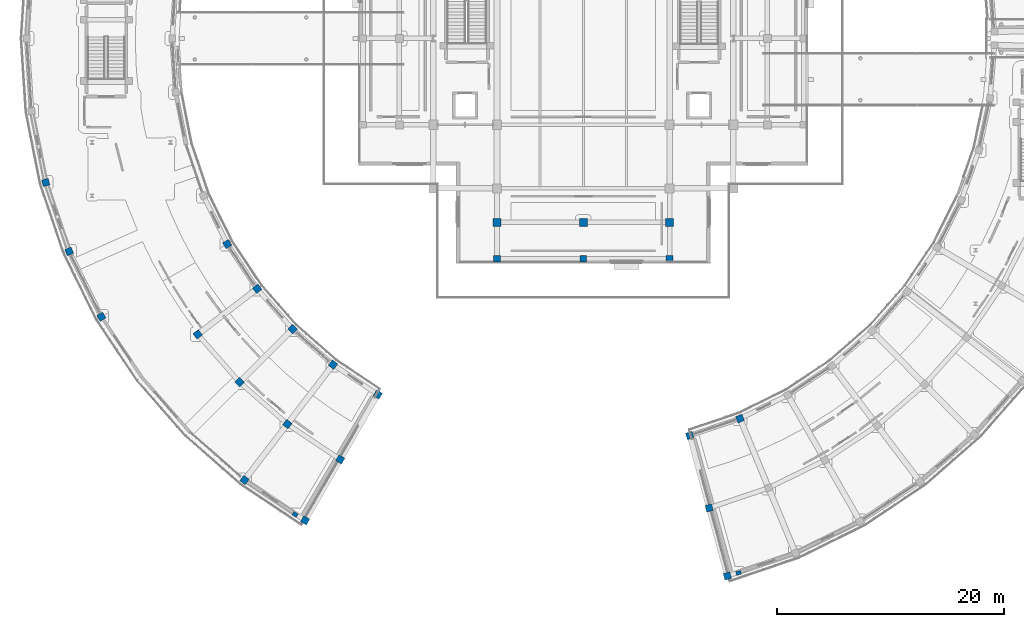
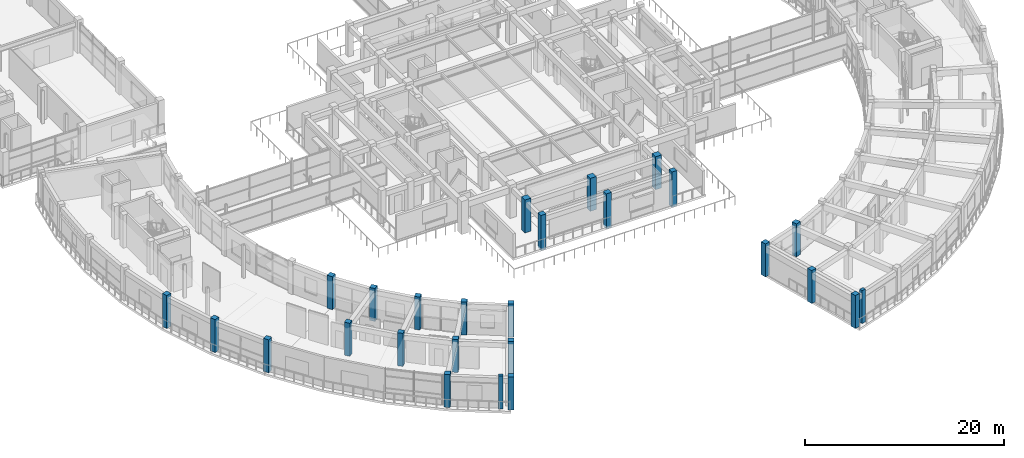
# One storey, part 1 of 72: 26 columns.
"""IFC4 building model written with IfcOpenShell, lengths in metres."""

from ifc_helpers import new_model, si_unit, direction, frame, origin, origin_2d, place, context, subcontext, project, spatial, rectangle, extrude, material, material_profile, profile_set, type_object, element, save


model = new_model("IFC4")

# Units and contexts
model_context = context("Model", 3, precision=1e-05, world=origin(), true_north=direction((0.0, 1.0)))
body_context = subcontext(model_context, "Body", "Model", "MODEL_VIEW")
ifc_project = project(units=[si_unit("LENGTHUNIT", "METRE"), si_unit("AREAUNIT", "SQUARE_METRE"), si_unit("VOLUMEUNIT", "CUBIC_METRE"), si_unit("PLANEANGLEUNIT", "RADIAN"), si_unit("MASSUNIT", "GRAM", prefix="KILO")], contexts=[model_context])

# Site, building, storey
site_placement = place(None, origin())
site = spatial("IfcSite", under=ifc_project, at=site_placement, CompositionType="ELEMENT")
building_placement = place(site_placement, origin())
building = spatial("IfcBuilding", under=site, at=building_placement, Name="Saryqyr Civic Hall", CompositionType="ELEMENT")
storey_placement = place(building_placement, frame((0.0, 0.0, 17.25)))
storey = spatial("IfcBuildingStorey", under=building, at=storey_placement, Name="L04", CompositionType="ELEMENT", Elevation=17.25)

# Columns
ifc_material_1 = material(Name="Concrete C40/50", Category="concrete")
ifc_material_profile_1 = material_profile(ifc_material_1, rectangle(XDim=0.60009765625, YDim=0.60009765625, at=origin_2d()), Name="RC 600x600")
ifc_profile_set_1 = profile_set([ifc_material_profile_1], Name="Concrete C40/50")
column_type_1 = type_object("IfcColumnType", Name="STR-COL-RC600-C40", PredefinedType="COLUMN", material=ifc_profile_set_1)
for number, where, z_axis, x_axis, name in (
    (1, (49.39990234375, 64.60009765625, -0.280029296875), (0.0, 0.0, 1.0), (1.0, 0.0, 0.0), "Column V1-COL-TG-S1-L04"),
    (2, (57.0, 64.60009765625, -0.280029296875), (0.0, 0.0, 1.0), (1.0, 0.0, 0.0), "Column V1-COL-TG-S2-L04"),
    (3, (64.60009765625, 64.60009765625, -0.280029296875), (0.0, 0.0, 1.0), (1.0, 0.0, 0.0), "Column V1-COL-TG-S3-L04"),
):
    element("IfcColumn", number, at=place(storey_placement, frame(where, z_axis=z_axis, x_axis=x_axis)), inside=storey, type_object=column_type_1, Name=name, PredefinedType="COLUMN", context=body_context, shape_type="SweptSolid", body=[
        extrude(rectangle(XDim=0.60009765625, YDim=0.60009765625, at=origin_2d()), origin(), (0.0, 0.0, 1.0), 4.330078125),
    ])
for number, where, z_axis, x_axis, name in (
    (4, (9.669677734375, 71.31787109375, 0.0), (0.0, 0.0, 1.0), (-0.965925826289, -0.258819045103, 0.0), "Column V4-COL-OUT04-L04"),
    (5, (11.72998046875, 65.24853515625, 0.0), (0.0, 0.0, 1.0), (-0.923879532511, -0.382683432365, 0.0), "Column V4-COL-OUT05-L04"),
    (6, (25.64990234375, 65.89990234375, 0.0), (0.0, 0.0, 1.0), (-0.866025403784, -0.5, 0.0), "Column V4-COL-IN06-L04"),
    (7, (14.564697265625, 59.5, 0.0), (0.0, 0.0, 1.0), (-0.866025403784, -0.5, 0.0), "Column V4-COL-OUT06-L04"),
    (8, (28.280517578125, 61.962890625, 0.0), (0.0, 0.0, 1.0), (-0.793353340291, -0.608761429009, 0.0), "Column V4-COL-IN07-L04"),
    (9, (23.04443359375, 57.945068359375, 0.0), (0.0, 0.0, 1.0), (-0.793353340291, -0.608761429009, 0.0), "Column V4-COL-MID07-L04"),
    (10, (31.402587890625, 58.402587890625, 0.0), (0.0, 0.0, 1.0), (-0.707106781187, -0.707106781187, 0.0), "Column V4-COL-IN08-L04"),
    (11, (26.73583984375, 53.73583984375, 0.0), (0.0, 0.0, 1.0), (-0.707106781187, -0.707106781187, 0.0), "Column V4-COL-MID08-L04"),
    (12, (34.962890625, 55.280517578125, 0.0), (0.0, 0.0, 1.0), (-0.608761429009, -0.793353340291, 0.0), "Column V4-COL-IN09-L04"),
    (13, (30.945068359375, 50.04443359375, 0.0), (0.0, 0.0, 1.0), (-0.608761429009, -0.793353340291, 0.0), "Column V4-COL-MID09-L04"),
    (14, (27.170654296875, 45.125732421875, 0.0), (0.0, 0.0, 1.0), (-0.608761429009, -0.793353340291, 0.0), "Column V4-COL-OUT09-L04"),
    (15, (38.89990234375, 52.64990234375, 0.0), (0.0, 0.0, 1.0), (-0.5, -0.866025403784, 0.0), "Column V4-COL-IN10-L04"),
    (16, (35.60009765625, 46.93408203125, 0.0), (0.0, 0.0, 1.0), (-0.5, -0.866025403784, 0.0), "Column V4-COL-MID10-L04"),
    (17, (32.5, 41.564697265625, 0.0), (0.0, 0.0, 1.0), (-0.5, -0.866025403784, 0.0), "Column V4-COL-OUT10-L04"),
    (18, (66.369140625, 49.033447265625, 0.0), (0.0, 0.0, 1.0), (0.258819045103, -0.965925826289, 0.0), "Column V5-COL-IN00-L04"),
    (19, (68.077392578125, 42.658447265625, 0.0), (0.0, 0.0, 1.0), (0.258819045103, -0.965925826289, 0.0), "Column V5-COL-MID00-L04"),
    (20, (69.68212890625, 36.669677734375, 0.0), (0.0, 0.0, 1.0), (0.258819045103, -0.965925826289, 0.0), "Column V5-COL-OUT00-L04"),
    (21, (70.797607421875, 50.53271484375, 0.0), (0.0, 0.0, 1.0), (0.38107037635, -0.924546033612, 0.0), "Column V5-COL-IN01-L04"),
):
    element("IfcColumn", number, at=place(storey_placement, frame(where, z_axis=z_axis, x_axis=x_axis)), inside=storey, type_object=column_type_1, Name=name, PredefinedType="COLUMN", context=body_context, shape_type="SweptSolid", body=[
        extrude(rectangle(XDim=0.60009765625, YDim=0.60009765625, at=origin_2d()), origin(), (0.0, 0.0, 1.0), 4.050048828125),
    ])
ifc_material_profile_2 = material_profile(ifc_material_1, rectangle(XDim=0.699951171875, YDim=0.699951171875, at=origin_2d()), Name="RC 700x700")
ifc_profile_set_2 = profile_set([ifc_material_profile_2], Name="Concrete C40/50")
column_type_2 = type_object("IfcColumnType", Name="STR-COL-RC700-C40", PredefinedType="COLUMN", material=ifc_profile_set_2)
for number, where, z_axis, x_axis, name in (
    (22, (49.39990234375, 67.800048828125, 0.0), (0.0, 0.0, 1.0), (1.0, 0.0, 0.0), "Column V1-COL-S3P07-L04"),
    (23, (57.0, 67.800048828125, 0.0), (0.0, 0.0, 1.0), (1.0, 0.0, 0.0), "Column V1-COL-S3P08-L04"),
    (24, (64.60009765625, 67.800048828125, 0.0), (0.0, 0.0, 1.0), (1.0, 0.0, 0.0), "Column V1-COL-S3P09-L04"),
):
    element("IfcColumn", number, at=place(storey_placement, frame(where, z_axis=z_axis, x_axis=x_axis)), inside=storey, type_object=column_type_2, Name=name, PredefinedType="COLUMN", context=body_context, shape_type="SweptSolid", body=[
        extrude(rectangle(XDim=0.699951171875, YDim=0.699951171875, at=origin_2d()), origin(), (0.0, 0.0, 1.0), 4.050048828125),
    ])
ifc_material_2 = material(Name="Concrete C35/45", Category="concrete")
ifc_material_profile_3 = material_profile(ifc_material_2, rectangle(XDim=0.35009765625, YDim=0.449951171875, at=origin_2d()), Name="RC 350x450")
ifc_profile_set_3 = profile_set([ifc_material_profile_3], Name="Concrete C35/45")
column_type_3 = type_object("IfcColumnType", Name="STR-PIL-RC350x450-EXT", PredefinedType="PILASTER", material=ifc_profile_set_3)
for number, where, z_axis, x_axis, name in (
    (25, (31.61669921875, 42.087158203125, 0.0), (0.0, 0.0, 1.0), (-0.5, -0.866025403784, 0.0), "Column V4-PIL-10-L04"),
    (26, (70.670654296875, 36.945556640625, 0.0), (0.0, 0.0, 1.0), (0.258819045103, -0.965925826289, 0.0), "Column V5-PIL-00-L04"),
):
    element("IfcColumn", number, at=place(storey_placement, frame(where, z_axis=z_axis, x_axis=x_axis)), inside=storey, type_object=column_type_3, Name=name, PredefinedType="PILASTER", context=body_context, shape_type="SweptSolid", body=[
        extrude(rectangle(XDim=0.35009765625, YDim=0.449951171875, at=origin_2d()), origin(), (0.0, 0.0, 1.0), 4.050048828125),
    ])

save(model, "model.ifc")
